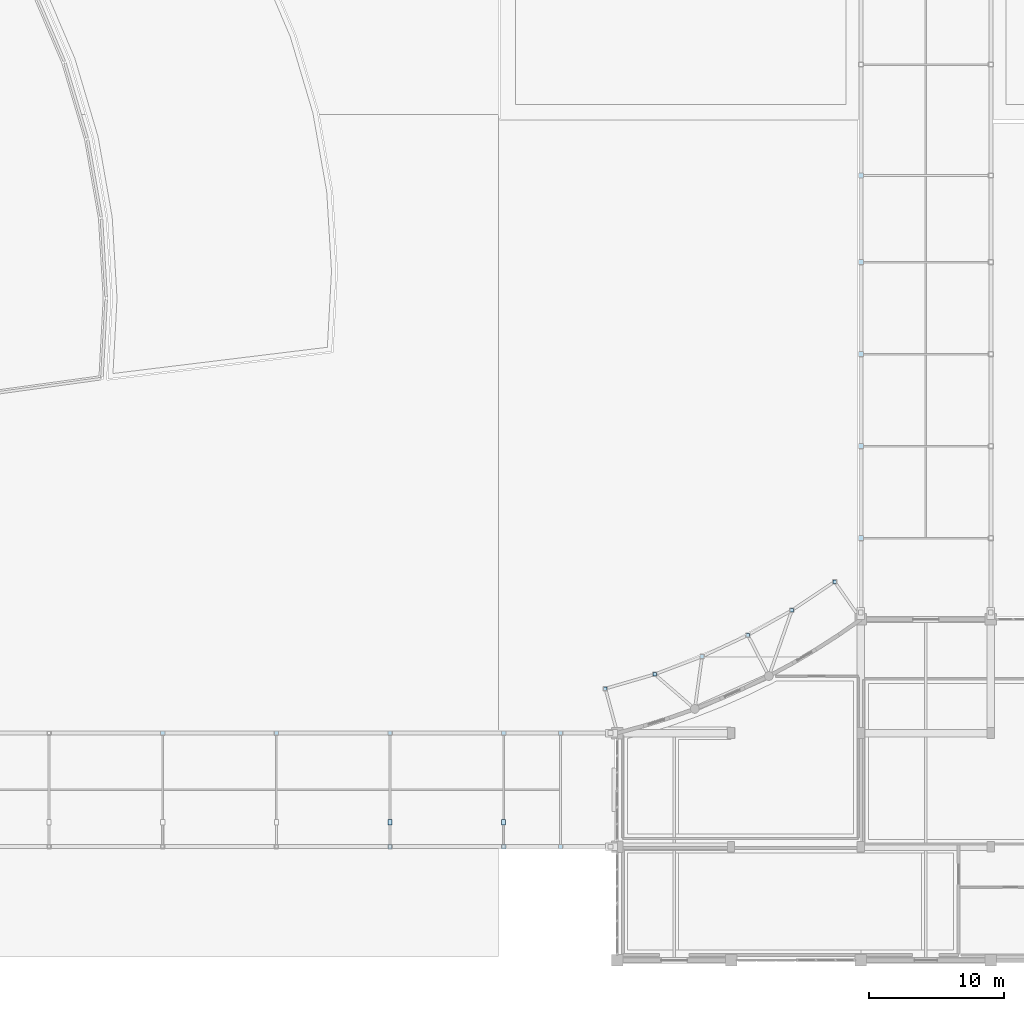
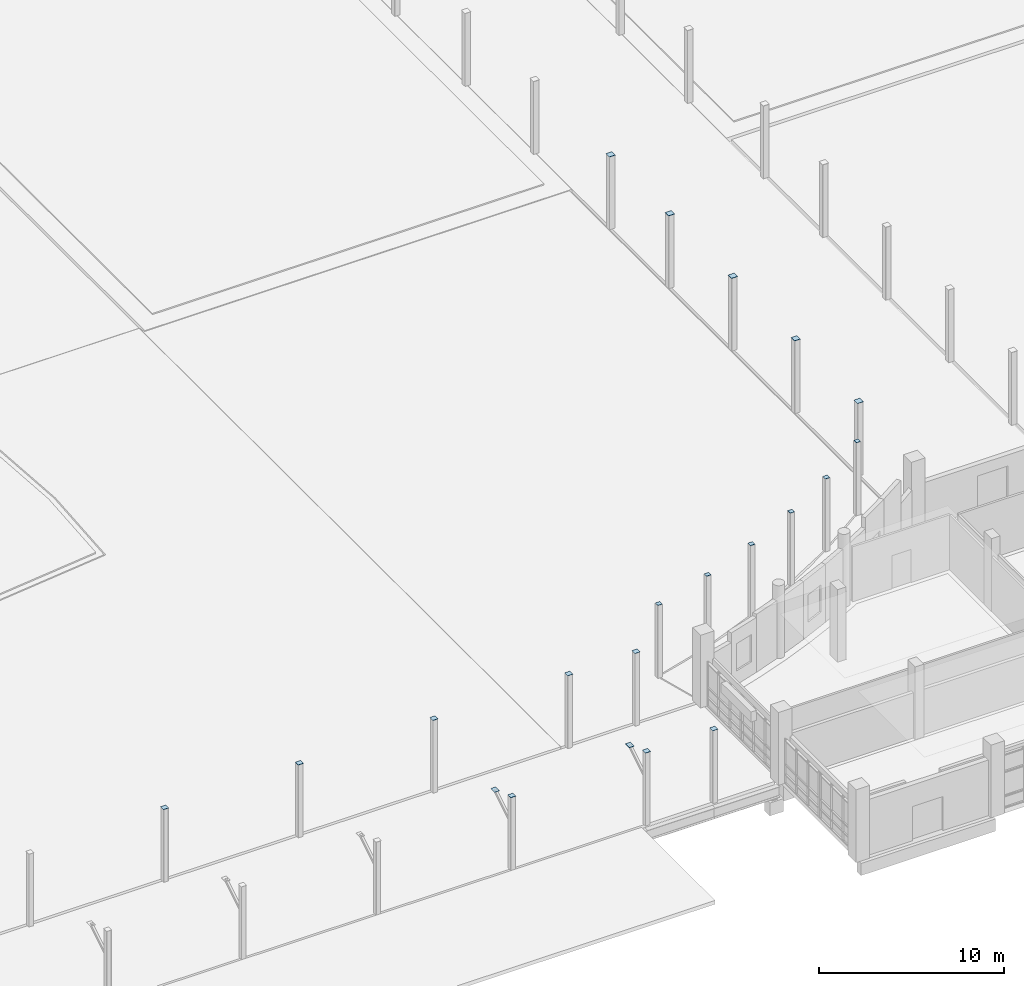
# One storey, part 57 of 97: 21 plates.
"""IFC4 building model written with IfcOpenShell, lengths in metres."""

from ifc_helpers import new_model, si_unit, direction, frame, origin, origin_2d, place, context, subcontext, project, spatial, rectangle, extrude, material, layer, layer_set, type_object, element, save


model = new_model("IFC4")

# Units and contexts
model_context = context("Model", 3, precision=1e-05, world=origin(), true_north=direction((0.0, 1.0)))
body_context = subcontext(model_context, "Body", "Model", "MODEL_VIEW")
ifc_project = project(units=[si_unit("LENGTHUNIT", "METRE"), si_unit("AREAUNIT", "SQUARE_METRE"), si_unit("VOLUMEUNIT", "CUBIC_METRE"), si_unit("PLANEANGLEUNIT", "RADIAN"), si_unit("MASSUNIT", "GRAM", prefix="KILO")], contexts=[model_context])

# Site, building, storey
site_placement = place(None, origin())
site = spatial("IfcSite", under=ifc_project, at=site_placement, CompositionType="ELEMENT")
building_placement = place(site_placement, origin())
building = spatial("IfcBuilding", under=site, at=building_placement, Name="Kisaragi Civic Commons", CompositionType="ELEMENT")
storey_placement = place(building_placement, origin())
storey = spatial("IfcBuildingStorey", under=building, at=storey_placement, Name="L00", CompositionType="ELEMENT", Elevation=0.0)

# Plates
ifc_material = material(Name="Steel SN490 (SN490B)", Category="steel")
ifc_layer_1 = layer(ifc_material, 0.02001953125, Name="Steel SN490 (SN490B)", Category="steel")
ifc_layer_set_1 = layer_set([ifc_layer_1], Name="Steel SN490 (SN490B)")
plate_type_1 = type_object("IfcPlateType", Name="CP-01", PredefinedType="SHEET", material=ifc_layer_set_1)
for number, where, z_axis, x_axis, name in (
    (1, (123.60009765625, 31.199951171875, 4.800048828125), (0.0, 0.0, 1.0), (1.0, 0.0, 0.0), "L00 column cap plate CP-01 (123.6,31.2)"),
    (2, (123.60009765625, 38.0, 4.800048828125), (0.0, 0.0, 1.0), (1.0, 0.0, 0.0), "L00 column cap plate CP-01 (123.6,38.0)"),
    (3, (123.60009765625, 44.800048828125, 4.800048828125), (0.0, 0.0, 1.0), (1.0, 0.0, 0.0), "L00 column cap plate CP-01 (123.6,44.8)"),
    (4, (123.60009765625, 51.60009765625, 4.800048828125), (0.0, 0.0, 1.0), (1.0, 0.0, 0.0), "L00 column cap plate CP-01 (123.6,51.6)"),
    (5, (123.60009765625, 58.0, 4.800048828125), (0.0, 0.0, 1.0), (1.0, 0.0, 0.0), "L00 column cap plate CP-01 (123.6,58.0)"),
):
    element("IfcPlate", number, at=place(storey_placement, frame(where, z_axis=z_axis, x_axis=x_axis)), inside=storey, type_object=plate_type_1, Name=name, PredefinedType="SHEET", context=body_context, shape_type="SweptSolid", body=[
        extrude(rectangle(XDim=0.3701171875, YDim=0.3701171875, at=origin_2d()), origin(), (0.0, 0.0, 1.0), 0.02001953125),
    ])
ifc_layer_2 = layer(ifc_material, 0.01806640625, Name="Steel SN490 (SN490B)", Category="steel")
ifc_layer_set_2 = layer_set([ifc_layer_2], Name="Steel SN490 (SN490B)")
plate_type_2 = type_object("IfcPlateType", Name="CP-02", PredefinedType="SHEET", material=ifc_layer_set_2)
for number, where, z_axis, x_axis, name in (
    (6, (72.0, 16.800048828125, 4.800048828125), (0.0, 0.0, 1.0), (1.0, 0.0, 0.0), "L00 column cap plate CP-02 (72.0,16.8)"),
    (7, (80.39990234375, 16.800048828125, 4.800048828125), (0.0, 0.0, 1.0), (1.0, 0.0, 0.0), "L00 column cap plate CP-02 (80.4,16.8)"),
    (8, (88.800048828125, 8.39990234375, 4.800048828125), (0.0, 0.0, 1.0), (1.0, 0.0, 0.0), "L00 column cap plate CP-02 (88.8,8.4)"),
    (9, (88.800048828125, 16.800048828125, 4.800048828125), (0.0, 0.0, 1.0), (1.0, 0.0, 0.0), "L00 column cap plate CP-02 (88.8,16.8)"),
    (10, (97.199951171875, 8.39990234375, 4.800048828125), (0.0, 0.0, 1.0), (1.0, 0.0, 0.0), "L00 column cap plate CP-02 (97.2,8.4)"),
    (11, (97.199951171875, 16.800048828125, 4.800048828125), (0.0, 0.0, 1.0), (1.0, 0.0, 0.0), "L00 column cap plate CP-02 (97.2,16.8)"),
    (12, (101.39990234375, 8.39990234375, 4.800048828125), (0.0, 0.0, 1.0), (1.0, 0.0, 0.0), "L00 column cap plate CP-02 (101.4,8.4)"),
    (13, (101.39990234375, 16.800048828125, 4.800048828125), (0.0, 0.0, 1.0), (1.0, 0.0, 0.0), "L00 column cap plate CP-02 (101.4,16.8)"),
):
    element("IfcPlate", number, at=place(storey_placement, frame(where, z_axis=z_axis, x_axis=x_axis)), inside=storey, type_object=plate_type_2, Name=name, PredefinedType="SHEET", context=body_context, shape_type="SweptSolid", body=[
        extrude(rectangle(XDim=0.320068359375, YDim=0.320068359375, at=origin_2d()), origin(), (0.0, 0.0, 1.0), 0.01806640625),
    ])
ifc_layer_3 = layer(ifc_material, 0.01611328125, Name="Steel SN490 (SN490B)", Category="steel")
ifc_layer_set_3 = layer_set([ifc_layer_3], Name="Steel SN490 (SN490B)")
plate_type_3 = type_object("IfcPlateType", Name="CP-03", PredefinedType="SHEET", material=ifc_layer_set_3)
for number, where, z_axis, x_axis, name in (
    (14, (104.7138671875, 20.08251953125, 4.800048828125), (0.0, 0.0, 1.0), (1.0, 0.0, 0.0), "L00 column cap plate CP-03 (104.7,20.1)"),
    (15, (108.363525390625, 21.1416015625, 4.800048828125), (0.0, 0.0, 1.0), (1.0, 0.0, 0.0), "L00 column cap plate CP-03 (108.4,21.1)"),
    (16, (111.859619140625, 22.456298828125, 4.800048828125), (0.0, 0.0, 1.0), (1.0, 0.0, 0.0), "L00 column cap plate CP-03 (111.9,22.5)"),
    (17, (115.244140625, 24.035888671875, 4.800048828125), (0.0, 0.0, 1.0), (1.0, 0.0, 0.0), "L00 column cap plate CP-03 (115.2,24.0)"),
    (18, (118.497314453125, 25.87060546875, 4.800048828125), (0.0, 0.0, 1.0), (1.0, 0.0, 0.0), "L00 column cap plate CP-03 (118.5,25.9)"),
    (19, (121.6533203125, 27.987548828125, 4.800048828125), (0.0, 0.0, 1.0), (1.0, 0.0, 0.0), "L00 column cap plate CP-03 (121.7,28.0)"),
):
    element("IfcPlate", number, at=place(storey_placement, frame(where, z_axis=z_axis, x_axis=x_axis)), inside=storey, type_object=plate_type_3, Name=name, PredefinedType="SHEET", context=body_context, shape_type="SweptSolid", body=[
        extrude(rectangle(XDim=0.27001953125, YDim=0.27001953125, at=origin_2d()), origin(), (0.0, 0.0, 1.0), 0.01611328125),
    ])
ifc_layer_4 = layer(ifc_material, 0.01904296875, Name="Steel SN490 (SN490B)", Category="steel")
ifc_layer_set_4 = layer_set([ifc_layer_4], Name="Steel SN490 (SN490B)")
plate_type_4 = type_object("IfcPlateType", Name="GP-04", PredefinedType="SHEET", material=ifc_layer_set_4)
for number, where, z_axis, x_axis, name in (
    (20, (88.800048828125, 10.199951171875, 4.090576171875), (0.0, 0.0, 1.0), (0.0, 1.0, 0.0), "Canopy strut cap plate 5"),
    (21, (97.199951171875, 10.199951171875, 4.090576171875), (0.0, 0.0, 1.0), (0.0, 1.0, 0.0), "Canopy strut cap plate 6"),
):
    element("IfcPlate", number, at=place(storey_placement, frame(where, z_axis=z_axis, x_axis=x_axis)), inside=storey, type_object=plate_type_4, Name=name, PredefinedType="SHEET", context=body_context, shape_type="SweptSolid", body=[
        extrude(rectangle(XDim=0.419921875, YDim=0.300048828125, at=origin_2d()), origin(), (0.0, 0.0, 1.0), 0.01904296875),
    ])

save(model, "model.ifc")
